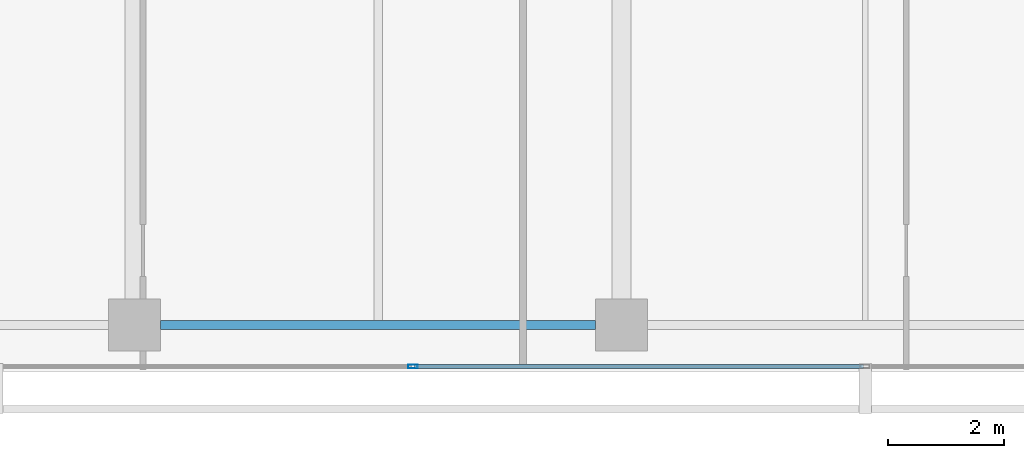
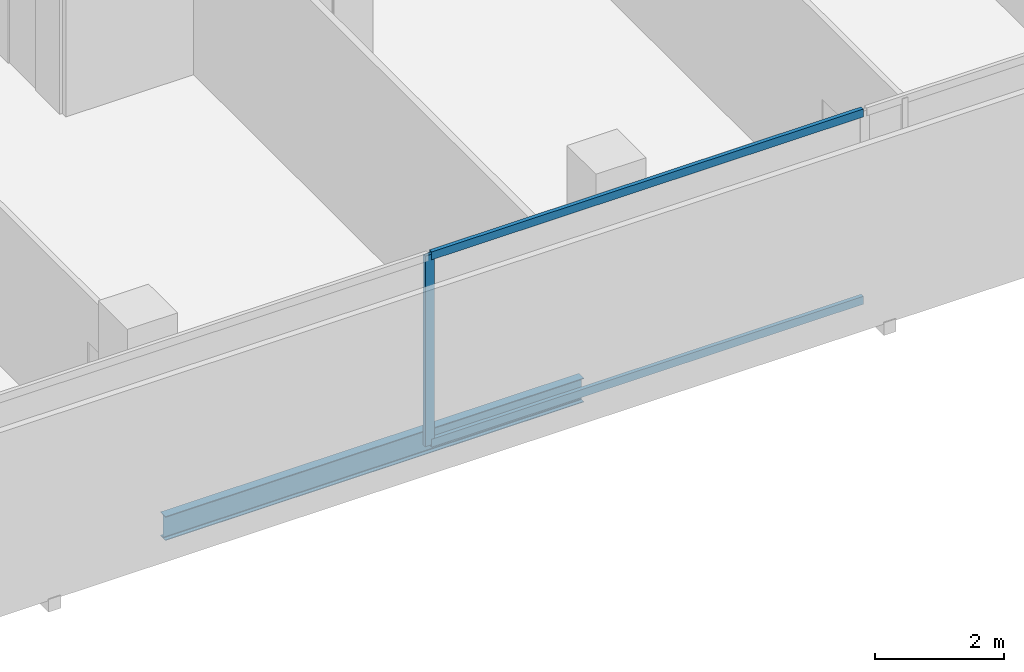
# One storey, part 7 of 40: 3 members, 1 beam, 1 element without a shape of its own.
"""IFC4 building model written with IfcOpenShell, lengths in metres."""

from ifc_helpers import new_model, si_unit, direction, frame, origin, origin_2d, place, context, subcontext, project, spatial, hollow_rectangle, i_section, extrude, material, layer, layer_set, material_profile, profile_set, type_object, element, aggregate, save


model = new_model("IFC4")

# Units and contexts
model_context = context("Model", 3, precision=1e-05, world=origin(), true_north=direction((0.0, 1.0)))
body_context = subcontext(model_context, "Body", "Model", "MODEL_VIEW")
ifc_project = project(units=[si_unit("LENGTHUNIT", "METRE"), si_unit("AREAUNIT", "SQUARE_METRE"), si_unit("VOLUMEUNIT", "CUBIC_METRE"), si_unit("PLANEANGLEUNIT", "RADIAN"), si_unit("MASSUNIT", "GRAM", prefix="KILO")], contexts=[model_context])

# Site, building, storey
site_placement = place(None, origin())
site = spatial("IfcSite", under=ifc_project, at=site_placement, CompositionType="ELEMENT")
building_placement = place(site_placement, origin())
building = spatial("IfcBuilding", under=site, at=building_placement, Name="Maruvema Waterfront Hotel and Observation Tower", CompositionType="ELEMENT")
storey_placement = place(building_placement, frame((0.0, 0.0, 73.14990234375)))
storey = spatial("IfcBuildingStorey", under=building, at=storey_placement, Name="L17", CompositionType="ELEMENT", Elevation=73.14990234375)

# Curtain wall, members
ifc_material_1 = material(Name="Anodised bronze aluminium and solar-control low-E IGU", Category="aluminium")
ifc_layer = layer(ifc_material_1, 0.159912109375, Name="Zone 1 Bronze Inner Thermal Curtain Wall System CW-02")
ifc_layer_set = layer_set([ifc_layer], Name="Anodised bronze aluminium and solar-control low-E IGU")
curtain_wall_type = type_object("IfcCurtainWallType", Name="Zone 1 Bronze Inner Thermal Curtain Wall System CW-02", PredefinedType="USERDEFINED", material=ifc_layer_set)
curtain_wall_placement = place(storey_placement, origin())
curtain_wall = element("IfcCurtainWall", 1, at=curtain_wall_placement, inside=storey, type_object=curtain_wall_type, Name="L17 Curtain Wall CW-L17-S", ObjectType="UNITISED CURTAIN WALL", PredefinedType="USERDEFINED")
ifc_material_2 = material(Name="Anodised architectural bronze aluminium", Category="aluminium")
ifc_material_profile_1 = material_profile(ifc_material_2, hollow_rectangle(XDim=0.070068359375, YDim=0.14990234375, WallThickness=0.00390625, at=origin_2d()), Name="ALU-T70x150")
ifc_profile_set_1 = profile_set([ifc_material_profile_1], Name="Anodised architectural bronze aluminium")
member_type_1 = type_object("IfcMemberType", Name="Curtain Wall Horizontal Transom ALU-T70x150", PredefinedType="USERDEFINED", material=ifc_profile_set_1)
member_1_placement = place(storey_placement, frame((30.030029296875, 0.080078125, 0.030029296875), z_axis=(1.0, 0.0, 0.0), x_axis=(0.0, 1.0, 0.0)))
member_1 = element("IfcMember", 2, at=member_1_placement, type_object=member_type_1, Name="CW-02 transom 3.1", ObjectType="TRANSOM", PredefinedType="USERDEFINED", context=body_context, shape_type="SweptSolid", body=[
    extrude(hollow_rectangle(XDim=0.070068359375, YDim=0.14990234375, WallThickness=0.00390625, at=origin_2d()), origin(), (0.0, 0.0, 1.0), 7.739990234375),
])
member_2_placement = place(storey_placement, frame((30.030029296875, 0.080078125, 3.580078125), z_axis=(1.0, 0.0, 0.0), x_axis=(0.0, 1.0, 0.0)))
member_2 = element("IfcMember", 3, at=member_2_placement, type_object=member_type_1, Name="CW-02 transom 3.2", ObjectType="TRANSOM", PredefinedType="USERDEFINED", context=body_context, shape_type="SweptSolid", body=[
    extrude(hollow_rectangle(XDim=0.070068359375, YDim=0.14990234375, WallThickness=0.00390625, at=origin_2d()), origin(), (0.0, 0.0, 1.0), 7.739990234375),
])
ifc_material_3 = material(Name="Anodised architectural bronze aluminium", Category="aluminium")
ifc_material_profile_2 = material_profile(ifc_material_3, hollow_rectangle(XDim=0.06494140625, YDim=0.1650390625, WallThickness=0.00390625, at=origin_2d()), Name="ALU-M65x165")
ifc_profile_set_2 = profile_set([ifc_material_profile_2], Name="Anodised architectural bronze aluminium")
member_type_2 = type_object("IfcMemberType", Name="Curtain Wall Primary Mullion ALU-M65x165", PredefinedType="MULLION", material=ifc_profile_set_2)
member_3_placement = place(storey_placement, frame((30.0, 0.080078125, 0.0), z_axis=(0.0, 0.0, 1.0), x_axis=(0.0, 1.0, 0.0)))
member_3 = element("IfcMember", 4, at=member_3_placement, type_object=member_type_2, Name="CW-02 mullion 3", PredefinedType="MULLION", context=body_context, shape_type="SweptSolid", body=[
    extrude(hollow_rectangle(XDim=0.06494140625, YDim=0.1650390625, WallThickness=0.00390625, at=origin_2d()), origin(), (0.0, 0.0, 1.0), 3.610107421875),
])
aggregate(curtain_wall, [member_3, member_1, member_2])

# Beam
ifc_material_4 = material(Name="Steel ASTM A572 Grade 50", Category="steel")
ifc_material_profile_3 = material_profile(ifc_material_4, i_section(OverallWidth=0.153076171875, OverallDepth=0.455078125, WebThickness=0.008056640625, FlangeThickness=0.01318359375, FilletRadius=0.014892578125, at=origin_2d()), Name="W460x60.0")
ifc_profile_set_3 = profile_set([ifc_material_profile_3], Name="Steel ASTM A572 Grade 50")
beam_type = type_object("IfcBeamType", Name="Perimeter Spandrel Beam W460x60.0", PredefinedType="SPANDREL", material=ifc_profile_set_3)
beam_placement = place(storey_placement, frame((25.64990234375, 0.800048828125, -0.46728515625), z_axis=(1.0, 0.0, 0.0), x_axis=(0.0, 1.0, 0.0)))
element("IfcBeam", 5, at=beam_placement, inside=storey, type_object=beam_type, Name="L17 Floor Girder EW-02", PredefinedType="SPANDREL", context=body_context, shape_type="SweptSolid", body=[
    extrude(i_section(OverallWidth=0.153076171875, OverallDepth=0.455078125, WebThickness=0.008056640625, FlangeThickness=0.01318359375, FilletRadius=0.014892578125, at=origin_2d()), origin(), (0.0, 0.0, 1.0), 7.5),
])

save(model, "model.ifc")
